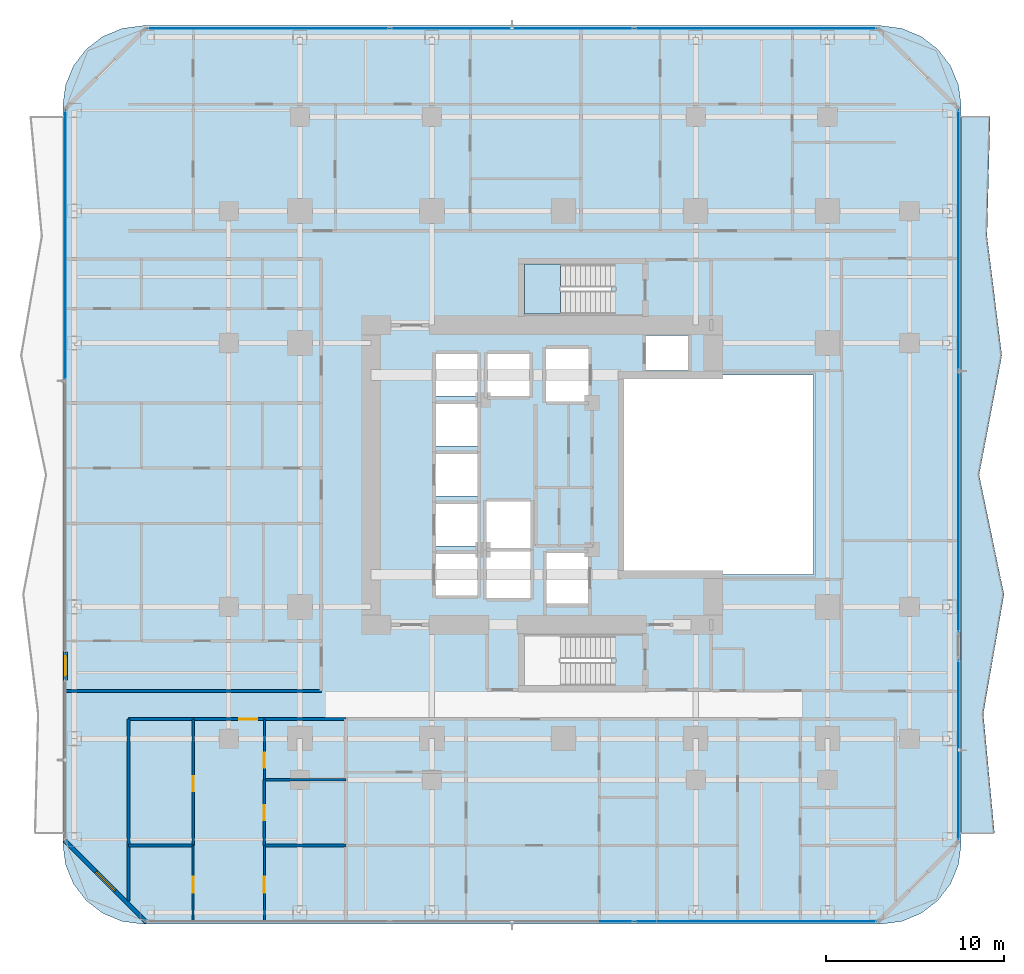
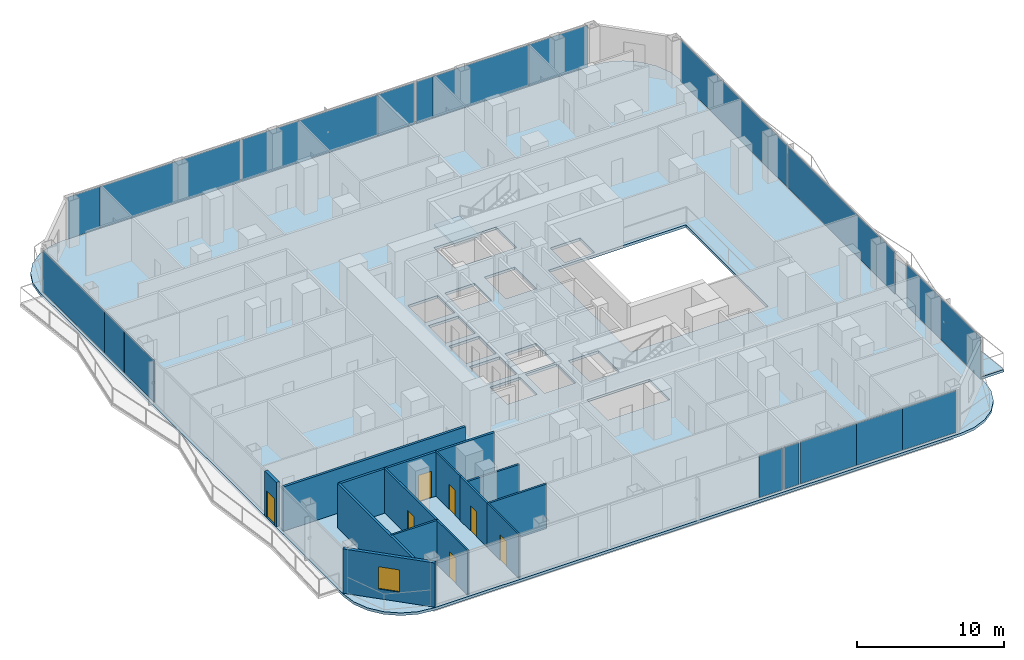
# One storey, part 19 of 30: 18 plates, 13 walls, 7 doors, 3 slabs, 1 window, 8 openings, 6 elements without a shape of their own.
"""IFC4 building model written with IfcOpenShell, lengths in metres."""

from ifc_helpers import new_model, si_unit, direction, frame, frame_2d, origin, origin_2d, place, context, subcontext, project, spatial, polyline, rectangle, outline, extrude, material, layer, layer_set, type_object, element, fill, aggregate, save


model = new_model("IFC4")

# Units and contexts
model_context = context("Model", 3, precision=1e-05, world=origin(), true_north=direction((0.0, 1.0)))
body_context = subcontext(model_context, "Body", "Model", "MODEL_VIEW")
ifc_project = project(units=[si_unit("LENGTHUNIT", "METRE"), si_unit("AREAUNIT", "SQUARE_METRE"), si_unit("VOLUMEUNIT", "CUBIC_METRE"), si_unit("PLANEANGLEUNIT", "RADIAN"), si_unit("MASSUNIT", "GRAM", prefix="KILO")], contexts=[model_context])

# Site, building, storey
site_placement = place(None, origin())
site = spatial("IfcSite", under=ifc_project, at=site_placement, CompositionType="ELEMENT")
building_placement = place(site_placement, origin())
building = spatial("IfcBuilding", under=site, at=building_placement, Name="Khorvyn Point Tower", CompositionType="ELEMENT")
storey_placement = place(building_placement, frame((0.0, 0.0, 57.89990234375)))
storey = spatial("IfcBuildingStorey", under=building, at=storey_placement, Name="L15", CompositionType="ELEMENT", Elevation=57.89990234375)

# Slabs
ifc_material_1 = material(Name="Concrete C35/45", Category="concrete")
ifc_layer_1 = layer(ifc_material_1, 0.219970703125)
ifc_layer_set_1 = layer_set([ifc_layer_1], Name="Concrete C35/45 Structural Floor Slab 220")
slab_type_1 = type_object("IfcSlabType", Name="Concrete C35/45 Structural Floor Slab 220", PredefinedType="FLOOR", material=ifc_layer_set_1)
slab_1_placement = place(storey_placement, frame((0.0, 0.0, -0.219970703125)))
element("IfcSlab", 1, at=slab_1_placement, inside=storey, type_object=slab_type_1, Name="L15 Main Structural Floor Slab", PredefinedType="FLOOR", context=body_context, shape_type="SweptSolid", body=[
    extrude(outline(polyline([(-23.60009765625, -25.199951171875), (-24.7646484375, -25.046630859375), (-25.85009765625, -24.59716796875), (-26.781982421875, -23.882080078125), (-27.4970703125, -22.949951171875), (-27.94677734375, -21.86474609375), (-28.10009765625, -20.699951171875), (-28.10009765625, 20.699951171875), (-27.94677734375, 21.86474609375), (-27.4970703125, 22.949951171875), (-26.781982421875, 23.882080078125), (-25.85009765625, 24.59716796875), (-24.7646484375, 25.046630859375), (-23.60009765625, 25.199951171875), (17.800048828125, 25.199951171875), (18.964599609375, 25.046630859375), (20.050048828125, 24.59716796875), (20.98193359375, 23.882080078125), (21.697021484375, 22.949951171875), (22.146728515625, 21.86474609375), (22.300048828125, 20.699951171875), (22.300048828125, -20.699951171875), (22.146728515625, -21.86474609375), (21.697021484375, -22.949951171875), (20.98193359375, -23.882080078125), (20.050048828125, -24.59716796875), (18.964599609375, -25.046630859375), (17.800048828125, -25.199951171875), (-23.60009765625, -25.199951171875)]), holes=[polyline([(-4.824951171875, -6.77490234375), (-4.824951171875, -4.425048828125), (-7.175048828125, -4.425048828125), (-7.175048828125, -6.77490234375), (-4.824951171875, -6.77490234375)]), polyline([(-4.324951171875, -6.89990234375), (-1.875, -6.89990234375), (-1.875, -4.300048828125), (-4.324951171875, -4.300048828125), (-4.324951171875, -6.89990234375)]), polyline([(-7.175048828125, -3.97509765625), (-4.824951171875, -3.97509765625), (-4.824951171875, -1.625), (-7.175048828125, -1.625), (-7.175048828125, -3.97509765625)]), polyline([(-7.175048828125, -1.175048828125), (-4.824951171875, -1.175048828125), (-4.824951171875, 1.175048828125), (-7.175048828125, 1.175048828125), (-7.175048828125, -1.175048828125)]), polyline([(-7.175048828125, 1.625), (-4.824951171875, 1.625), (-4.824951171875, 3.97509765625), (-7.175048828125, 3.97509765625), (-7.175048828125, 1.625)]), polyline([(-7.175048828125, 4.425048828125), (-4.824951171875, 4.425048828125), (-4.824951171875, 6.77490234375), (-7.175048828125, 6.77490234375), (-7.175048828125, 4.425048828125)]), polyline([(-4.27490234375, 4.425048828125), (-1.925048828125, 4.425048828125), (-1.925048828125, 6.77490234375), (-4.27490234375, 6.77490234375), (-4.27490234375, 4.425048828125)]), polyline([(2.679931640625, -11.820068359375), (2.679931640625, -9.02001953125), (-2.199951171875, -9.02001953125), (-2.199951171875, -11.820068359375), (2.679931640625, -11.820068359375)]), polyline([(-0.97509765625, -7.22509765625), (1.375, -7.22509765625), (1.375, -4.375), (-0.97509765625, -4.375), (-0.97509765625, -7.22509765625)]), polyline([(-4.324951171875, -4.10009765625), (-1.875, -4.10009765625), (-1.875, -1.5), (-4.324951171875, -1.5), (-4.324951171875, -4.10009765625)]), polyline([(3.199951171875, -5.60009765625), (14.0, -5.60009765625), (14.0, 5.60009765625), (3.199951171875, 5.60009765625), (3.199951171875, -5.60009765625)]), polyline([(-1.0, 4.125), (1.39990234375, 4.125), (1.39990234375, 7.074951171875), (-1.0, 7.074951171875), (-1.0, 4.125)]), polyline([(4.625, 5.85009765625), (6.97509765625, 5.85009765625), (6.97509765625, 7.830078125), (4.625, 7.830078125), (4.625, 5.85009765625)]), polyline([(-2.199951171875, 9.02001953125), (2.679931640625, 9.02001953125), (2.679931640625, 11.820068359375), (-2.199951171875, 11.820068359375), (-2.199951171875, 9.02001953125)])]), origin(), (0.0, 0.0, 1.0), 0.219970703125),
])
ifc_material_2 = material(Name="Concrete C40/50", Category="concrete")
ifc_layer_2 = layer(ifc_material_2, 0.2099609375)
ifc_layer_set_2 = layer_set([ifc_layer_2], Name="Concrete C40/50 Rippling Balcony Slab 210")
slab_type_2 = type_object("IfcSlabType", Name="Concrete C40/50 Rippling Balcony Slab 210", PredefinedType="USERDEFINED", material=ifc_layer_set_2)
slab_2_placement = place(storey_placement, frame((0.0, 0.0, -0.2099609375)))
element("IfcSlab", 2, at=slab_2_placement, inside=storey, type_object=slab_type_2, Name="L15 East Sinusoidal Rippling Balcony", ObjectType="BALCONY", PredefinedType="USERDEFINED", context=body_context, shape_type="SweptSolid", body=[
    extrude(outline(polyline([(22.300048828125, -20.10009765625), (24.168212890625, -20.10009765625), (23.53955078125, -13.39990234375), (24.700927734375, -6.699951171875), (23.302978515625, 0.0), (24.580810546875, 6.699951171875), (23.748779296875, 13.39990234375), (23.9228515625, 20.10009765625), (22.300048828125, 20.10009765625), (22.300048828125, -20.10009765625)])), origin(), (0.0, 0.0, 1.0), 0.2099609375),
])

# Stair, slab
stair_type = type_object("IfcStairType", Name="Tower Concrete C40/50 Dogleg Exit Stair", PredefinedType="HALF_TURN_STAIR", material=ifc_material_2)
stair_placement = place(storey_placement, origin())
stair = element("IfcStair", 3, at=stair_placement, inside=storey, type_object=stair_type, Name="L15 Tower Smokeproof Exit Stair North", PredefinedType="HALF_TURN_STAIR")
ifc_layer_3 = layer(ifc_material_2, 0.199951171875)
ifc_layer_set_3 = layer_set([ifc_layer_3], Name="Concrete C40/50 Stair Landing Slab 200")
slab_type_3 = type_object("IfcSlabType", Name="Concrete C40/50 Stair Landing Slab 200", PredefinedType="LANDING", material=ifc_layer_set_3)
slab_3_placement = place(storey_placement, frame((0.0, 0.0, 1.75)))
slab_3 = element("IfcSlab", 4, at=slab_3_placement, type_object=slab_type_3, Name="ST-02 landing 1", PredefinedType="LANDING", context=body_context, shape_type="SweptSolid", body=[
    extrude(outline(polyline([(-0.179931640625, 11.820068359375), (-2.199951171875, 11.820068359375), (-2.199951171875, 9.02001953125), (-0.179931640625, 9.02001953125), (-0.179931640625, 11.820068359375)])), origin(), (0.0, 0.0, 1.0), 0.2001953125),
])
aggregate(stair, [slab_3])

# Curtain wall, plates
ifc_material_3 = material(Name="Anodised aluminium 6063-T6 and laminated Low-E glass", Category="aluminium")
ifc_layer_4 = layer(ifc_material_3, 0.18994140625)
ifc_layer_set_4 = layer_set([ifc_layer_4], Name="Stick-Built Finned Residential Curtain Wall CW-SYS-02")
curtain_wall_type = type_object("IfcCurtainWallType", Name="Stick-Built Finned Residential Curtain Wall CW-SYS-02", PredefinedType="NOTDEFINED", material=ifc_layer_set_4)
curtain_wall_1_placement = place(storey_placement, origin())
curtain_wall_1 = element("IfcCurtainWall", 5, at=curtain_wall_1_placement, inside=storey, type_object=curtain_wall_type, Name="Curtain Wall", PredefinedType="NOTDEFINED")
ifc_material_4 = material(Name="Laminated Low-E insulated glass", Category="glass")
ifc_layer_5 = layer(ifc_material_4, 0.028076171875)
ifc_layer_set_5 = layer_set([ifc_layer_5], Name="Tempered Low-E Vision Glazing Panel CW-GL28")
plate_type = type_object("IfcPlateType", Name="Tempered Low-E Vision Glazing Panel CW-GL28", PredefinedType="CURTAIN_PANEL", material=ifc_layer_set_5)
plate_1_placement = place(storey_placement, frame((4.591064453125, -25.050048828125, 0.10009765625), z_axis=(0.0, 0.0, 1.0), x_axis=(-1.0, 0.0, 0.0)))
plate_1 = element("IfcPlate", 6, at=plate_1_placement, type_object=plate_type, Name="Panel", PredefinedType="CURTAIN_PANEL", context=body_context, shape_type="SweptSolid", body=[
    extrude(rectangle(XDim=1.174072265625, YDim=0.028076171875, at=origin_2d()), origin(), (0.0, 0.0, 1.0), 3.47998046875),
])
plate_2_placement = place(storey_placement, frame((7.5029296875, -25.050048828125, 0.10009765625), z_axis=(0.0, 0.0, 1.0), x_axis=(-1.0, 0.0, 0.0)))
plate_2 = element("IfcPlate", 7, at=plate_2_placement, type_object=plate_type, Name="Panel", PredefinedType="CURTAIN_PANEL", context=body_context, shape_type="SweptSolid", body=[
    extrude(rectangle(XDim=4.39404296875, YDim=0.028076171875, at=origin_2d()), origin(), (0.0, 0.0, 1.0), 3.47998046875),
])
plate_3_placement = place(storey_placement, frame((11.5166015625, -25.050048828125, 0.10009765625), z_axis=(0.0, 0.0, 1.0), x_axis=(-1.0, 0.0, 0.0)))
plate_3 = element("IfcPlate", 8, at=plate_3_placement, type_object=plate_type, Name="Panel", PredefinedType="CURTAIN_PANEL", context=body_context, shape_type="SweptSolid", body=[
    extrude(rectangle(XDim=3.616943359375, YDim=0.028076171875, at=origin_2d()), origin(), (0.0, 0.0, 1.0), 3.47998046875),
])
plate_4_placement = place(storey_placement, frame((15.439453125, -25.050048828125, 0.10009765625), z_axis=(0.0, 0.0, 1.0), x_axis=(-1.0, 0.0, 0.0)))
plate_4 = element("IfcPlate", 9, at=plate_4_placement, type_object=plate_type, Name="Panel", PredefinedType="CURTAIN_PANEL", context=body_context, shape_type="SweptSolid", body=[
    extrude(rectangle(XDim=4.212890625, YDim=0.028076171875, at=origin_2d()), origin(), (0.0, 0.0, 1.0), 3.47998046875),
])
plate_5_placement = place(storey_placement, frame((2.97705078125, -25.050048828125, 0.10009765625), z_axis=(0.0, 0.0, 1.0), x_axis=(-1.0, 0.0, 0.0)))
plate_5 = element("IfcPlate", 10, at=plate_5_placement, type_object=plate_type, Name="Panel", PredefinedType="CURTAIN_PANEL", context=body_context, shape_type="SweptSolid", body=[
    extrude(rectangle(XDim=1.837890625, YDim=0.028076171875, at=origin_2d()), origin(), (0.0, 0.0, 1.0), 3.47998046875),
])
aggregate(curtain_wall_1, [plate_1, plate_2, plate_3, plate_4, plate_5])

curtain_wall_2_placement = place(storey_placement, origin())
curtain_wall_2 = element("IfcCurtainWall", 11, at=curtain_wall_2_placement, inside=storey, type_object=curtain_wall_type, Name="Curtain Wall", PredefinedType="NOTDEFINED")
plate_6_placement = place(storey_placement, frame((-22.093017578125, 25.050048828125, 0.10009765625), z_axis=(0.0, 0.0, 1.0), x_axis=(1.0, 0.0, 0.0)))
plate_6 = element("IfcPlate", 12, at=plate_6_placement, type_object=plate_type, Name="Panel", PredefinedType="CURTAIN_PANEL", context=body_context, shape_type="SweptSolid", body=[
    extrude(rectangle(XDim=2.506103515625, YDim=0.028076171875, at=origin_2d()), origin(), (0.0, 0.0, 1.0), 3.47998046875),
])
plate_7_placement = place(storey_placement, frame((-15.318115234375, 25.050048828125, 0.10009765625), z_axis=(0.0, 0.0, 1.0), x_axis=(1.0, 0.0, 0.0)))
plate_7 = element("IfcPlate", 13, at=plate_7_placement, type_object=plate_type, Name="Panel", PredefinedType="CURTAIN_PANEL", context=body_context, shape_type="SweptSolid", body=[
    extrude(rectangle(XDim=11.028076171875, YDim=0.028076171875, at=origin_2d()), origin(), (0.0, 0.0, 1.0), 3.47998046875),
])
plate_8_placement = place(storey_placement, frame((-4.3330078125, 25.050048828125, 0.10009765625), z_axis=(0.0, 0.0, 1.0), x_axis=(1.0, 0.0, 0.0)))
plate_8 = element("IfcPlate", 14, at=plate_8_placement, type_object=plate_type, Name="Panel", PredefinedType="CURTAIN_PANEL", context=body_context, shape_type="SweptSolid", body=[
    extrude(rectangle(XDim=10.72607421875, YDim=0.028076171875, at=origin_2d()), origin(), (0.0, 0.0, 1.0), 3.47998046875),
])
plate_9_placement = place(storey_placement, frame((2.467041015625, 25.050048828125, 0.10009765625), z_axis=(0.0, 0.0, 1.0), x_axis=(1.0, 0.0, 0.0)))
plate_9 = element("IfcPlate", 15, at=plate_9_placement, type_object=plate_type, Name="Panel", PredefinedType="CURTAIN_PANEL", context=body_context, shape_type="SweptSolid", body=[
    extrude(rectangle(XDim=2.85791015625, YDim=0.028076171875, at=origin_2d()), origin(), (0.0, 0.0, 1.0), 3.47998046875),
])
plate_10_placement = place(storey_placement, frame((4.676025390625, 25.050048828125, 0.10009765625), z_axis=(0.0, 0.0, 1.0), x_axis=(1.0, 0.0, 0.0)))
plate_10 = element("IfcPlate", 16, at=plate_10_placement, type_object=plate_type, Name="Panel", PredefinedType="CURTAIN_PANEL", context=body_context, shape_type="SweptSolid", body=[
    extrude(rectangle(XDim=1.343994140625, YDim=0.028076171875, at=origin_2d()), origin(), (0.0, 0.0, 1.0), 3.47998046875),
])
plate_11_placement = place(storey_placement, frame((9.1220703125, 25.050048828125, 0.10009765625), z_axis=(0.0, 0.0, 1.0), x_axis=(1.0, 0.0, 0.0)))
plate_11 = element("IfcPlate", 17, at=plate_11_placement, type_object=plate_type, Name="Panel", PredefinedType="CURTAIN_PANEL", context=body_context, shape_type="SweptSolid", body=[
    extrude(rectangle(XDim=7.531982421875, YDim=0.028076171875, at=origin_2d()), origin(), (0.0, 0.0, 1.0), 3.47998046875),
])
plate_12_placement = place(storey_placement, frame((15.220947265625, 25.050048828125, 0.10009765625), z_axis=(0.0, 0.0, 1.0), x_axis=(1.0, 0.0, 0.0)))
plate_12 = element("IfcPlate", 18, at=plate_12_placement, type_object=plate_type, Name="Panel", PredefinedType="CURTAIN_PANEL", context=body_context, shape_type="SweptSolid", body=[
    extrude(rectangle(XDim=4.64990234375, YDim=0.028076171875, at=origin_2d()), origin(), (0.0, 0.0, 1.0), 3.47998046875),
])
aggregate(curtain_wall_2, [plate_6, plate_7, plate_8, plate_9, plate_10, plate_11, plate_12])

curtain_wall_3_placement = place(storey_placement, origin())
curtain_wall_3 = element("IfcCurtainWall", 19, at=curtain_wall_3_placement, inside=storey, type_object=curtain_wall_type, Name="Curtain Wall", PredefinedType="NOTDEFINED")
plate_13_placement = place(storey_placement, frame((-27.949951171875, 7.3525390625, 0.10009765625), z_axis=(0.0, 0.0, 1.0), x_axis=(0.0, 1.0, 0.0)))
plate_13 = element("IfcPlate", 20, at=plate_13_placement, type_object=plate_type, Name="Panel", PredefinedType="CURTAIN_PANEL", context=body_context, shape_type="SweptSolid", body=[
    extrude(rectangle(XDim=4.047119140625, YDim=0.028076171875, at=origin_2d()), origin(), (0.0, 0.0, 1.0), 3.47998046875),
])
plate_14_placement = place(storey_placement, frame((-27.949951171875, 10.719970703125, 0.10009765625), z_axis=(0.0, 0.0, 1.0), x_axis=(0.0, 1.0, 0.0)))
plate_14 = element("IfcPlate", 21, at=plate_14_placement, type_object=plate_type, Name="Panel", PredefinedType="CURTAIN_PANEL", context=body_context, shape_type="SweptSolid", body=[
    extrude(rectangle(XDim=2.672119140625, YDim=0.028076171875, at=origin_2d()), origin(), (0.0, 0.0, 1.0), 3.47998046875),
])
plate_15_placement = place(storey_placement, frame((-27.949951171875, 16.2548828125, 0.10009765625), z_axis=(0.0, 0.0, 1.0), x_axis=(0.0, 1.0, 0.0)))
plate_15 = element("IfcPlate", 22, at=plate_15_placement, type_object=plate_type, Name="Panel", PredefinedType="CURTAIN_PANEL", context=body_context, shape_type="SweptSolid", body=[
    extrude(rectangle(XDim=8.382080078125, YDim=0.028076171875, at=origin_2d()), origin(), (0.0, 0.0, 1.0), 3.47998046875),
])
aggregate(curtain_wall_3, [plate_13, plate_14, plate_15])

curtain_wall_4_placement = place(storey_placement, origin())
curtain_wall_4 = element("IfcCurtainWall", 23, at=curtain_wall_4_placement, inside=storey, type_object=curtain_wall_type, Name="Curtain Wall", PredefinedType="NOTDEFINED")
plate_16_placement = place(storey_placement, frame((22.14990234375, 13.166259765625, 0.10009765625), z_axis=(0.0, 0.0, 1.0), x_axis=(0.0, -1.0, 0.0)))
plate_16 = element("IfcPlate", 24, at=plate_16_placement, type_object=plate_type, Name="Panel", PredefinedType="CURTAIN_PANEL", context=body_context, shape_type="SweptSolid", body=[
    extrude(rectangle(XDim=14.5673828125, YDim=0.028076171875, at=origin_2d()), origin(), (0.0, 0.0, 1.0), 3.47998046875),
])
plate_17_placement = place(storey_placement, frame((22.14990234375, -1.501220703125, 0.10009765625), z_axis=(0.0, 0.0, 1.0), x_axis=(0.0, -1.0, 0.0)))
plate_17 = element("IfcPlate", 25, at=plate_17_placement, type_object=plate_type, Name="Panel", PredefinedType="CURTAIN_PANEL", context=body_context, shape_type="SweptSolid", body=[
    extrude(rectangle(XDim=14.5673828125, YDim=0.028076171875, at=origin_2d()), origin(), (0.0, 0.0, 1.0), 3.47998046875),
])
aggregate(curtain_wall_4, [plate_16, plate_17])

# Curtain wall, plate
curtain_wall_5_placement = place(storey_placement, origin())
curtain_wall_5 = element("IfcCurtainWall", 26, at=curtain_wall_5_placement, inside=storey, type_object=curtain_wall_type, Name="Curtain Wall", PredefinedType="NOTDEFINED")
plate_18_placement = place(storey_placement, frame((22.14990234375, -15.4375, 0.10009765625), z_axis=(0.0, 0.0, 1.0), x_axis=(0.0, -1.0, 0.0)))
plate_18 = element("IfcPlate", 27, at=plate_18_placement, type_object=plate_type, Name="Panel", PredefinedType="CURTAIN_PANEL", context=body_context, shape_type="SweptSolid", body=[
    extrude(rectangle(XDim=10.02490234375, YDim=0.028076171875, at=origin_2d()), origin(), (0.0, 0.0, 1.0), 3.47998046875),
])
aggregate(curtain_wall_5, [plate_18])

# Wall, opening, door
ifc_material_5 = material(Name="Double acoustic gypsum on twin steel stud", Category="steel")
ifc_layer_6 = layer(ifc_material_5, 0.179931640625)
ifc_layer_set_6 = layer_set([ifc_layer_6], Name="Acoustic Double-Stud Apartment Demising Wall 180")
wall_type_1 = type_object("IfcWallType", Name="Acoustic Double-Stud Apartment Demising Wall 180", PredefinedType="PARTITIONING", material=ifc_layer_set_6)
wall_1_placement = place(storey_placement, frame((-24.419921875, -13.699951171875, 0.0), z_axis=(0.0, 0.0, 1.0), x_axis=(1.0, 0.0, 0.0)))
wall_1 = element("IfcWall", 28, at=wall_1_placement, inside=storey, type_object=wall_type_1, Name="Wall", PredefinedType="PARTITIONING", context=body_context, shape_type="SweptSolid", body=[
    extrude(rectangle(XDim=12.19482421875, YDim=0.179931640625, at=frame_2d((6.097412109375, 0.0))), origin(), (0.0, 0.0, 1.0), 3.68017578125),
])
opening_1_placement = place(wall_1_placement, frame((6.221435546875, 0.0, 0.0)))
opening_1 = element("IfcOpeningElement", 29, at=opening_1_placement, cuts=wall_1, Name="Opening ID-AP60", PredefinedType="OPENING", context=body_context, shape_type="SweptSolid", body=[
    extrude(rectangle(XDim=1.0, YDim=2.199951171875, at=frame_2d((0.5, 1.10009765625))), frame((0.0, 0.099853515625, 0.0), z_axis=(0.0, -1.0, 0.0), x_axis=(1.0, 0.0, 0.0)), (0.0, 0.0, 1.0), 0.199951171875),
])
ifc_material_6 = material(Name="Engineered hardwood fire-rated leaf", Category="wood")
door_type_1 = type_object("IfcDoorType", Name="Acoustic Solid-Core Timber Apartment Entrance Door 1000x2200", OperationType="NOTDEFINED", PredefinedType="DOOR", material=ifc_material_6)
door_1_placement = place(opening_1_placement, origin())
door_1 = element("IfcDoor", 30, at=door_1_placement, inside=storey, type_object=door_type_1, Name="Door", OperationType="SINGLE_SWING_LEFT", OverallHeight=2.199951171875, OverallWidth=1.0, PredefinedType="DOOR", context=body_context, shape_type="SweptSolid", body=[
    extrude(rectangle(XDim=1.0, YDim=2.199951171875, at=frame_2d((0.5, 1.10009765625))), frame((0.0, 0.02490234375, 0.0), z_axis=(0.0, -1.0, 0.0), x_axis=(1.0, 0.0, 0.0)), (0.0, 0.0, 1.0), 0.050048828125),
])
fill(opening_1, door_1)

# Walls
wall_2_placement = place(storey_placement, frame((-24.419921875, -23.909912109375, 0.0), z_axis=(0.0, 0.0, 1.0), x_axis=(0.0, 1.0, 0.0)))
element("IfcWall", 31, at=wall_2_placement, inside=storey, type_object=wall_type_1, Name="Wall", PredefinedType="PARTITIONING", context=body_context, shape_type="SweptSolid", body=[
    extrude(rectangle(XDim=10.2099609375, YDim=0.179931640625, at=frame_2d((5.10498046875, 0.0))), origin(), (0.0, 0.0, 1.0), 3.68017578125),
])
wall_3_placement = place(storey_placement, frame((-27.929931640625, -12.1201171875, 0.0), z_axis=(0.0, 0.0, 1.0), x_axis=(1.0, 0.0, 0.0)))
element("IfcWall", 32, at=wall_3_placement, inside=storey, type_object=wall_type_1, Name="Wall", PredefinedType="PARTITIONING", context=body_context, shape_type="SweptSolid", body=[
    extrude(rectangle(XDim=14.329833984375, YDim=0.179931640625, at=frame_2d((7.1650390625, 0.0))), origin(), (0.0, 0.0, 1.0), 3.68017578125),
])

# Wall, opening, door
ifc_material_7 = material(Name="Pale anodised aluminium rainscreen on steel stud", Category="steel")
ifc_layer_7 = layer(ifc_material_7, 0.239990234375)
ifc_layer_set_7 = layer_set([ifc_layer_7], Name="Anodised Aluminium Insulated Corner Spandrel Wall 240")
wall_type_2 = type_object("IfcWallType", Name="Anodised Aluminium Insulated Corner Spandrel Wall 240", PredefinedType="SOLIDWALL", material=ifc_layer_set_7)
wall_4_placement = place(storey_placement, frame((-27.949951171875, -11.510009765625, 0.0), z_axis=(0.0, 0.0, 1.0), x_axis=(0.0, 1.0, 0.0)))
wall_4 = element("IfcWall", 33, at=wall_4_placement, inside=storey, type_object=wall_type_2, Name="L15 West Outdoor Threshold Wall", PredefinedType="SOLIDWALL", context=body_context, shape_type="SweptSolid", body=[
    extrude(rectangle(XDim=1.580078125, YDim=0.239990234375, at=frame_2d((0.7900390625, 0.0))), origin(), (0.0, 0.0, 1.0), 3.68017578125),
])
opening_2_placement = place(wall_4_placement, frame((0.239990234375, 0.0, 0.0)))
opening_2 = element("IfcOpeningElement", 34, at=opening_2_placement, cuts=wall_4, Name="Opening BD-1122", PredefinedType="OPENING", context=body_context, shape_type="SweptSolid", body=[
    extrude(rectangle(XDim=1.10009765625, YDim=2.199951171875, at=frame_2d((0.550048828125, 1.10009765625))), frame((0.0, 0.1298828125, 0.0), z_axis=(0.0, -1.0, 0.0), x_axis=(1.0, 0.0, 0.0)), (0.0, 0.0, 1.0), 0.260009765625),
])
door_type_2 = type_object("IfcDoorType", Name="Glazed Balcony and Terrace Threshold Door 1100x2200", OperationType="NOTDEFINED", PredefinedType="DOOR", material=ifc_material_3)
door_2_placement = place(opening_2_placement, origin())
door_2 = element("IfcDoor", 35, at=door_2_placement, inside=storey, type_object=door_type_2, Name="L15 West Glazed Balcony Outdoor Door", OperationType="SINGLE_SWING_RIGHT", OverallHeight=2.199951171875, OverallWidth=1.10009765625, PredefinedType="DOOR", context=body_context, shape_type="SweptSolid", body=[
    extrude(rectangle(XDim=1.10009765625, YDim=2.199951171875, at=frame_2d((0.550048828125, 1.10009765625))), frame((0.0, 0.02490234375, 0.0), z_axis=(0.0, -1.0, 0.0), x_axis=(1.0, 0.0, 0.0)), (0.0, 0.0, 1.0), 0.050048828125),
])
fill(opening_2, door_2)

# Wall, opening, window
wall_5_placement = place(storey_placement, frame((-23.40771484375, -25.09228515625, 0.0), z_axis=(0.0, 0.0, 1.0), x_axis=(-0.707106781187, 0.707106781187, 0.0)))
wall_5 = element("IfcWall", 36, at=wall_5_placement, inside=storey, type_object=wall_type_2, Name="L15 Rounded Corner Wall SW", PredefinedType="SOLIDWALL", context=body_context, shape_type="SweptSolid", body=[
    extrude(rectangle(XDim=6.48388671875, YDim=0.239990234375, at=frame_2d((3.241943359375, 0.0))), origin(), (0.0, 0.0, 1.0), 3.68017578125),
])
opening_3_placement = place(wall_5_placement, frame((2.491943359375, 0.0, 0.800048828125)))
opening_3 = element("IfcOpeningElement", 37, at=opening_3_placement, cuts=wall_5, Name="Opening WN-1518", PredefinedType="OPENING", context=body_context, shape_type="SweptSolid", body=[
    extrude(rectangle(XDim=1.5, YDim=1.85009765625, at=frame_2d((0.75, 0.925048828125))), frame((0.0, 0.1298828125, 0.0), z_axis=(0.0, -1.0, 0.0), x_axis=(1.0, 0.0, 0.0)), (0.0, 0.0, 1.0), 0.260009765625),
])
window_type = type_object("IfcWindowType", Name="Anodised Aluminium Rounded-Corner Panoramic Window 1500x1850", PartitioningType="SINGLE_PANEL", PredefinedType="WINDOW", material=ifc_material_3)
window_placement = place(opening_3_placement, origin())
window = element("IfcWindow", 38, at=window_placement, inside=storey, type_object=window_type, Name="L15 Corner Panoramic Window SW", OverallHeight=1.85009765625, OverallWidth=1.5, PartitioningType="SINGLE_PANEL", PredefinedType="WINDOW", context=body_context, shape_type="SweptSolid", body=[
    extrude(rectangle(XDim=1.5, YDim=1.85009765625, at=frame_2d((0.75, 0.925048828125))), frame((0.0, 0.030029296875, 0.0), z_axis=(0.0, -1.0, 0.0), x_axis=(1.0, 0.0, 0.0)), (0.0, 0.0, 1.0), 0.06005859375),
])
fill(opening_3, window)

# Wall, opening, door
ifc_material_8 = material(Name="Gypsum plasterboard on steel stud", Category="steel")
ifc_layer_8 = layer(ifc_material_8, 0.1201171875)
ifc_layer_set_8 = layer_set([ifc_layer_8], Name="Gypsum Acoustic Stud Room Partition Wall 120")
wall_type_3 = type_object("IfcWallType", Name="Gypsum Acoustic Stud Room Partition Wall 120", PredefinedType="PARTITIONING", material=ifc_layer_set_8)
wall_6_placement = place(storey_placement, frame((-20.7900390625, -25.030029296875, 0.0), z_axis=(0.0, 0.0, 1.0), x_axis=(0.0, 1.0, 0.0)))
wall_6 = element("IfcWall", 39, at=wall_6_placement, inside=storey, type_object=wall_type_3, Name="Wall", PredefinedType="PARTITIONING", context=body_context, shape_type="SweptSolid", body=[
    extrude(rectangle(XDim=4.239990234375, YDim=0.1201171875, at=frame_2d((2.1201171875, 0.0))), origin(), (0.0, 0.0, 1.0), 3.68017578125),
])
opening_4_placement = place(wall_6_placement, frame((1.581298828125, 0.0, 0.0)))
opening_4 = element("IfcOpeningElement", 40, at=opening_4_placement, cuts=wall_6, Name="Opening ID-RM90", PredefinedType="OPENING", context=body_context, shape_type="SweptSolid", body=[
    extrude(rectangle(XDim=0.89990234375, YDim=2.10009765625, at=frame_2d((0.449951171875, 1.050048828125))), frame((0.0, 0.070068359375, 0.0), z_axis=(0.0, -1.0, 0.0), x_axis=(1.0, 0.0, 0.0)), (0.0, 0.0, 1.0), 0.14013671875),
])
ifc_material_9 = material(Name="Engineered oak veneer timber", Category="wood")
door_type_3 = type_object("IfcDoorType", Name="Flush Engineered Timber Room Door 900x2100", OperationType="NOTDEFINED", PredefinedType="DOOR", material=ifc_material_9)
door_3_placement = place(opening_4_placement, origin())
door_3 = element("IfcDoor", 41, at=door_3_placement, inside=storey, type_object=door_type_3, Name="Door", OperationType="SINGLE_SWING_LEFT", OverallHeight=2.10009765625, OverallWidth=0.89990234375, PredefinedType="DOOR", context=body_context, shape_type="SweptSolid", body=[
    extrude(rectangle(XDim=0.89990234375, YDim=2.10009765625, at=frame_2d((0.449951171875, 1.050048828125))), frame((0.0, 0.02490234375, 0.0), z_axis=(0.0, -1.0, 0.0), x_axis=(1.0, 0.0, 0.0)), (0.0, 0.0, 1.0), 0.050048828125),
])
fill(opening_4, door_3)

wall_7_placement = place(storey_placement, frame((-16.791015625, -17.10009765625, 0.0), z_axis=(0.0, 0.0, 1.0), x_axis=(0.0, 1.0, 0.0)))
wall_7 = element("IfcWall", 42, at=wall_7_placement, inside=storey, type_object=wall_type_3, Name="Wall", PredefinedType="PARTITIONING", context=body_context, shape_type="SweptSolid", body=[
    extrude(rectangle(XDim=3.400146484375, YDim=0.1201171875, at=frame_2d((1.7001953125, 0.0))), origin(), (0.0, 0.0, 1.0), 3.68017578125),
])
opening_5_placement = place(wall_7_placement, frame((0.674560546875, 0.0, 0.0)))
opening_5 = element("IfcOpeningElement", 43, at=opening_5_placement, cuts=wall_7, Name="Opening ID-WC85", PredefinedType="OPENING", context=body_context, shape_type="SweptSolid", body=[
    extrude(rectangle(XDim=0.85009765625, YDim=2.10009765625, at=frame_2d((0.425048828125, 1.050048828125))), frame((0.0, 0.070068359375, 0.0), z_axis=(0.0, -1.0, 0.0), x_axis=(1.0, 0.0, 0.0)), (0.0, 0.0, 1.0), 0.14013671875),
])
ifc_material_10 = material(Name="High-pressure laminate on moisture-resistant core", Category="wood")
door_type_4 = type_object("IfcDoorType", Name="Moisture-Resistant Accessible Washroom Door 850x2100", OperationType="NOTDEFINED", PredefinedType="DOOR", material=ifc_material_10)
door_4_placement = place(opening_5_placement, origin())
door_4 = element("IfcDoor", 44, at=door_4_placement, inside=storey, type_object=door_type_4, Name="Door", OperationType="SINGLE_SWING_LEFT", OverallHeight=2.10009765625, OverallWidth=0.85009765625, PredefinedType="DOOR", context=body_context, shape_type="SweptSolid", body=[
    extrude(rectangle(XDim=0.85009765625, YDim=2.10009765625, at=frame_2d((0.425048828125, 1.050048828125))), frame((0.0, 0.02490234375, 0.0), z_axis=(0.0, -1.0, 0.0), x_axis=(1.0, 0.0, 0.0)), (0.0, 0.0, 1.0), 0.050048828125),
])
fill(opening_5, door_4)

wall_8_placement = place(storey_placement, frame((-16.791015625, -25.030029296875, 0.0), z_axis=(0.0, 0.0, 1.0), x_axis=(0.0, 1.0, 0.0)))
wall_8 = element("IfcWall", 45, at=wall_8_placement, inside=storey, type_object=wall_type_3, Name="Wall", PredefinedType="PARTITIONING", context=body_context, shape_type="SweptSolid", body=[
    extrude(rectangle(XDim=4.239990234375, YDim=0.1201171875, at=frame_2d((2.1201171875, 0.0))), origin(), (0.0, 0.0, 1.0), 3.68017578125),
])
opening_6_placement = place(wall_8_placement, frame((1.581298828125, 0.0, 0.0)))
opening_6 = element("IfcOpeningElement", 46, at=opening_6_placement, cuts=wall_8, Name="Opening ID-RM90", PredefinedType="OPENING", context=body_context, shape_type="SweptSolid", body=[
    extrude(rectangle(XDim=0.89990234375, YDim=2.10009765625, at=frame_2d((0.449951171875, 1.050048828125))), frame((0.0, 0.070068359375, 0.0), z_axis=(0.0, -1.0, 0.0), x_axis=(1.0, 0.0, 0.0)), (0.0, 0.0, 1.0), 0.14013671875),
])
door_5_placement = place(opening_6_placement, origin())
door_5 = element("IfcDoor", 47, at=door_5_placement, inside=storey, type_object=door_type_3, Name="Door", OperationType="SINGLE_SWING_RIGHT", OverallHeight=2.10009765625, OverallWidth=0.89990234375, PredefinedType="DOOR", context=body_context, shape_type="SweptSolid", body=[
    extrude(rectangle(XDim=0.89990234375, YDim=2.10009765625, at=frame_2d((0.449951171875, 1.050048828125))), frame((0.0, 0.02490234375, 0.0), z_axis=(0.0, -1.0, 0.0), x_axis=(1.0, 0.0, 0.0)), (0.0, 0.0, 1.0), 0.050048828125),
])
fill(opening_6, door_5)

ifc_material_11 = material(Name="Moisture-resistant gypsum and cement board", Category="gypsum")
ifc_layer_9 = layer(ifc_material_11, 0.14990234375)
ifc_layer_set_9 = layer_set([ifc_layer_9], Name="Moisture-Resistant Wet-Room Partition Wall 150")
wall_type_4 = type_object("IfcWallType", Name="Moisture-Resistant Wet-Room Partition Wall 150", PredefinedType="PARTITIONING", material=ifc_layer_set_9)
wall_9_placement = place(storey_placement, frame((-20.7900390625, -20.7900390625, 0.0), z_axis=(0.0, 0.0, 1.0), x_axis=(0.0, 1.0, 0.0)))
wall_9 = element("IfcWall", 48, at=wall_9_placement, inside=storey, type_object=wall_type_4, Name="Wall", PredefinedType="PARTITIONING", context=body_context, shape_type="SweptSolid", body=[
    extrude(rectangle(XDim=7.090087890625, YDim=0.14990234375, at=frame_2d((3.544921875, 0.0))), origin(), (0.0, 0.0, 1.0), 3.68017578125),
])
opening_7_placement = place(wall_9_placement, frame((3.0302734375, 0.0, 0.0)))
opening_7 = element("IfcOpeningElement", 49, at=opening_7_placement, cuts=wall_9, Name="Opening ID-WC85", PredefinedType="OPENING", context=body_context, shape_type="SweptSolid", body=[
    extrude(rectangle(XDim=0.85009765625, YDim=2.10009765625, at=frame_2d((0.425048828125, 1.050048828125))), frame((0.0, 0.0849609375, 0.0), z_axis=(0.0, -1.0, 0.0), x_axis=(1.0, 0.0, 0.0)), (0.0, 0.0, 1.0), 0.169921875),
])
door_6_placement = place(opening_7_placement, origin())
door_6 = element("IfcDoor", 50, at=door_6_placement, inside=storey, type_object=door_type_4, Name="Door", OperationType="SINGLE_SWING_RIGHT", OverallHeight=2.10009765625, OverallWidth=0.85009765625, PredefinedType="DOOR", context=body_context, shape_type="SweptSolid", body=[
    extrude(rectangle(XDim=0.85009765625, YDim=2.10009765625, at=frame_2d((0.425048828125, 1.050048828125))), frame((0.0, 0.02490234375, 0.0), z_axis=(0.0, -1.0, 0.0), x_axis=(1.0, 0.0, 0.0)), (0.0, 0.0, 1.0), 0.050048828125),
])
fill(opening_7, door_6)

wall_10_placement = place(storey_placement, frame((-16.791015625, -20.7900390625, 0.0), z_axis=(0.0, 0.0, 1.0), x_axis=(0.0, 1.0, 0.0)))
wall_10 = element("IfcWall", 51, at=wall_10_placement, inside=storey, type_object=wall_type_4, Name="Wall", PredefinedType="PARTITIONING", context=body_context, shape_type="SweptSolid", body=[
    extrude(rectangle(XDim=3.68994140625, YDim=0.14990234375, at=frame_2d((1.844970703125, 0.0))), origin(), (0.0, 0.0, 1.0), 3.68017578125),
])
opening_8_placement = place(wall_10_placement, frame((1.419921875, 0.0, 0.0)))
opening_8 = element("IfcOpeningElement", 52, at=opening_8_placement, cuts=wall_10, Name="Opening ID-WC85", PredefinedType="OPENING", context=body_context, shape_type="SweptSolid", body=[
    extrude(rectangle(XDim=0.85009765625, YDim=2.10009765625, at=frame_2d((0.425048828125, 1.050048828125))), frame((0.0, 0.0849609375, 0.0), z_axis=(0.0, -1.0, 0.0), x_axis=(1.0, 0.0, 0.0)), (0.0, 0.0, 1.0), 0.169921875),
])
door_7_placement = place(opening_8_placement, origin())
door_7 = element("IfcDoor", 53, at=door_7_placement, inside=storey, type_object=door_type_4, Name="Door", OperationType="SINGLE_SWING_RIGHT", OverallHeight=2.10009765625, OverallWidth=0.85009765625, PredefinedType="DOOR", context=body_context, shape_type="SweptSolid", body=[
    extrude(rectangle(XDim=0.85009765625, YDim=2.10009765625, at=frame_2d((0.425048828125, 1.050048828125))), frame((0.0, 0.02490234375, 0.0), z_axis=(0.0, -1.0, 0.0), x_axis=(1.0, 0.0, 0.0)), (0.0, 0.0, 1.0), 0.050048828125),
])
fill(opening_8, door_7)

# Walls
wall_11_placement = place(storey_placement, frame((-24.419921875, -20.7900390625, 0.0), z_axis=(0.0, 0.0, 1.0), x_axis=(1.0, 0.0, 0.0)))
element("IfcWall", 54, at=wall_11_placement, inside=storey, type_object=wall_type_4, Name="Wall", PredefinedType="PARTITIONING", context=body_context, shape_type="SweptSolid", body=[
    extrude(rectangle(XDim=3.6298828125, YDim=0.14990234375, at=frame_2d((1.81494140625, 0.0))), origin(), (0.0, 0.0, 1.0), 3.68017578125),
])
wall_12_placement = place(storey_placement, frame((-16.791015625, -17.10009765625, 0.0), z_axis=(0.0, 0.0, 1.0), x_axis=(1.0, 0.0, 0.0)))
element("IfcWall", 55, at=wall_12_placement, inside=storey, type_object=wall_type_4, Name="Wall", PredefinedType="PARTITIONING", context=body_context, shape_type="SweptSolid", body=[
    extrude(rectangle(XDim=4.56591796875, YDim=0.14990234375, at=frame_2d((2.282958984375, 0.0))), origin(), (0.0, 0.0, 1.0), 3.08203125),
])
wall_13_placement = place(storey_placement, frame((-16.791015625, -20.7900390625, 0.0), z_axis=(0.0, 0.0, 1.0), x_axis=(1.0, 0.0, 0.0)))
element("IfcWall", 56, at=wall_13_placement, inside=storey, type_object=wall_type_4, Name="Wall", PredefinedType="PARTITIONING", context=body_context, shape_type="SweptSolid", body=[
    extrude(rectangle(XDim=4.56591796875, YDim=0.14990234375, at=frame_2d((2.282958984375, 0.0))), origin(), (0.0, 0.0, 1.0), 3.68017578125),
])

save(model, "model.ifc")
